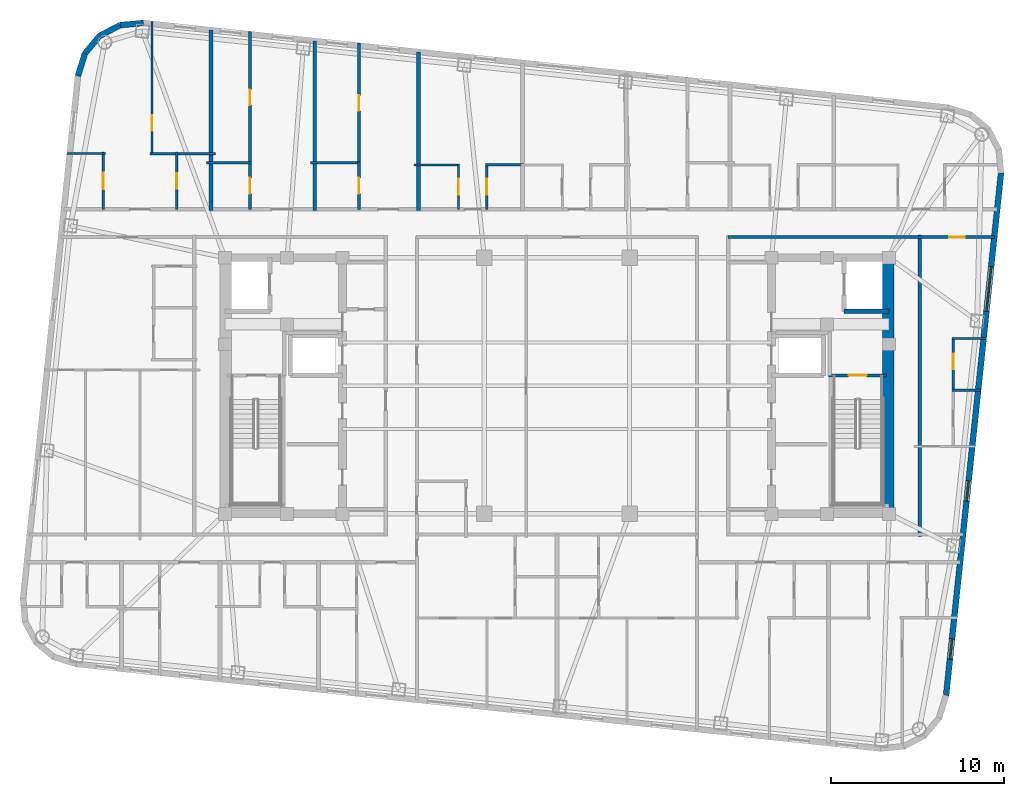
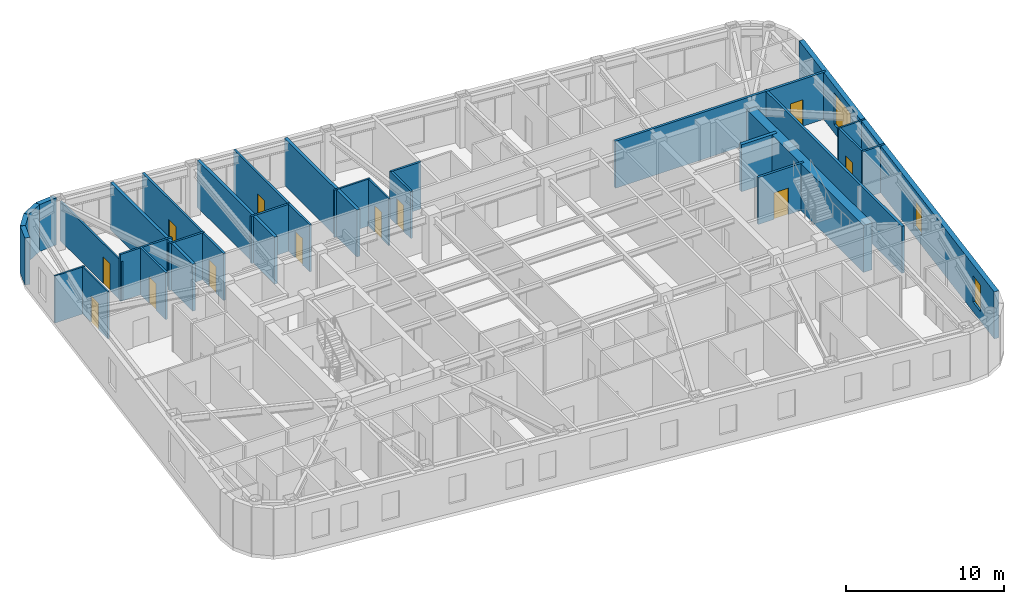
# One storey, part 7 of 11: 31 walls, 12 doors, 3 windows, 15 openings.
"""IFC4 building model written with IfcOpenShell, lengths in metres."""

from ifc_helpers import new_model, si_unit, direction, frame, frame_2d, origin, place, context, subcontext, project, spatial, rectangle, extrude, material, layer, layer_set, type_object, element, fill, save


model = new_model("IFC4")

# Units and contexts
model_context = context("Model", 3, precision=1e-05, world=origin(), true_north=direction((0.0, 1.0)))
body_context = subcontext(model_context, "Body", "Model", "MODEL_VIEW")
ifc_project = project(units=[si_unit("LENGTHUNIT", "METRE"), si_unit("AREAUNIT", "SQUARE_METRE"), si_unit("VOLUMEUNIT", "CUBIC_METRE"), si_unit("PLANEANGLEUNIT", "RADIAN"), si_unit("MASSUNIT", "GRAM", prefix="KILO")], contexts=[model_context])

# Site, building, storey
site_placement = place(None, origin())
site = spatial("IfcSite", under=ifc_project, at=site_placement, CompositionType="ELEMENT")
building_placement = place(site_placement, origin())
building = spatial("IfcBuilding", under=site, at=building_placement, Name="Voryun Gate Residences", CompositionType="ELEMENT")
storey_placement = place(building_placement, frame((0.0, 0.0, 295.10009765625)))
storey = spatial("IfcBuildingStorey", under=building, at=storey_placement, Name="L73", CompositionType="ELEMENT", Elevation=295.10009765625)

# Wall
ifc_material_1 = material(Name="Concrete C60/75", Category="concrete")
ifc_layer_1 = layer(ifc_material_1, 0.64990234375, Name="CW_CORE_650")
ifc_layer_set_1 = layer_set([ifc_layer_1], Name="Concrete C60/75")
wall_type_1 = type_object("IfcWallType", Name="CW_CORE_650", PredefinedType="SHEAR", material=ifc_layer_set_1)
wall_1_placement = place(storey_placement, frame((19.14501953125, -7.39990234375, 0.0), z_axis=(0.0, 0.0, 1.0), x_axis=(0.0, 1.0, 0.0)))
element("IfcWall", 1, at=wall_1_placement, inside=storey, type_object=wall_type_1, Name="L73 Core shear wall CW-L73-EE", PredefinedType="SHEAR", context=body_context, shape_type="SweptSolid", body=[
    extrude(rectangle(XDim=14.7998046875, YDim=0.64990234375, at=frame_2d((7.39990234375, 0.0))), origin(), (0.0, 0.0, 1.0), 3.635009765625),
])

# Wall, opening, door
ifc_material_2 = material(Name="Gypsum acoustic fireboard")
ifc_layer_2 = layer(ifc_material_2, 0.179931640625, Name="W_CORR_RATED_180")
ifc_layer_set_2 = layer_set([ifc_layer_2], Name="Gypsum acoustic fireboard")
wall_type_2 = type_object("IfcWallType", Name="W_CORR_RATED_180", PredefinedType="PARTITIONING", material=ifc_layer_set_2)
wall_2_placement = place(storey_placement, frame((15.699951171875, 0.60009765625, 0.0), z_axis=(0.0, 0.0, 1.0), x_axis=(1.0, 0.0, 0.0)))
wall_2 = element("IfcWall", 2, at=wall_2_placement, inside=storey, type_object=wall_type_2, Name="Partition wall WP-L73-STV-E", PredefinedType="PARTITIONING", context=body_context, shape_type="SweptSolid", body=[
    extrude(rectangle(XDim=3.360107421875, YDim=0.179931640625, at=frame_2d((1.68017578125, 0.0))), origin(), (0.0, 0.0, 1.0), 3.635009765625),
])
opening_1_placement = place(wall_2_placement, frame((1.155029296875, 0.0, 0.0)))
opening_1 = element("IfcOpeningElement", 3, at=opening_1_placement, cuts=wall_2, Name="Opening D-FD60-1", PredefinedType="OPENING", context=body_context, shape_type="SweptSolid", body=[
    extrude(rectangle(XDim=1.050048828125, YDim=2.050048828125, at=frame_2d((0.52490234375, 1.02490234375))), frame((0.0, 0.099853515625, 0.0), z_axis=(0.0, -1.0, 0.0), x_axis=(1.0, 0.0, 0.0)), (0.0, 0.0, 1.0), 0.199951171875),
])
ifc_material_3 = material(Name="Painted steel fire door", Category="steel")
door_type_1 = type_object("IfcDoorType", Name="DR_FD60_STAIR_1050", OperationType="NOTDEFINED", PredefinedType="DOOR", material=ifc_material_3)
door_1_placement = place(opening_1_placement, origin())
door_1 = element("IfcDoor", 4, at=door_1_placement, inside=storey, type_object=door_type_1, Name="Door DR-L73-ST-E", OperationType="SINGLE_SWING_RIGHT", OverallHeight=2.050048828125, OverallWidth=1.050048828125, PredefinedType="DOOR", context=body_context, shape_type="SweptSolid", body=[
    extrude(rectangle(XDim=1.050048828125, YDim=2.050048828125, at=frame_2d((0.52490234375, 1.02490234375))), frame((0.0, 0.02490234375, 0.0), z_axis=(0.0, -1.0, 0.0), x_axis=(1.0, 0.0, 0.0)), (0.0, 0.0, 1.0), 0.050048828125),
])
fill(opening_1, door_1)

wall_3_placement = place(storey_placement, frame((9.8798828125, 8.590087890625, 0.0), z_axis=(0.0, 0.0, 1.0), x_axis=(1.0, 0.0, 0.0)))
wall_3 = element("IfcWall", 5, at=wall_3_placement, inside=storey, type_object=wall_type_2, Name="Partition wall WP-L73-CWING-EN", PredefinedType="PARTITIONING", context=body_context, shape_type="SweptSolid", body=[
    extrude(rectangle(XDim=15.400634765625, YDim=0.179931640625, at=frame_2d((7.7001953125, 0.0))), origin(), (0.0, 0.0, 1.0), 3.635009765625),
])
opening_2_placement = place(wall_3_placement, frame((12.80078125, 0.0, 0.0)))
opening_2 = element("IfcOpeningElement", 6, at=opening_2_placement, cuts=wall_3, Name="Opening D-INT-2", PredefinedType="OPENING", context=body_context, shape_type="SweptSolid", body=[
    extrude(rectangle(XDim=0.89990234375, YDim=2.050048828125, at=frame_2d((0.449951171875, 1.02490234375))), frame((0.0, 0.099853515625, 0.0), z_axis=(0.0, -1.0, 0.0), x_axis=(1.0, 0.0, 0.0)), (0.0, 0.0, 1.0), 0.199951171875),
])
ifc_material_4 = material(Name="Architectural oak veneer")
door_type_2 = type_object("IfcDoorType", Name="DR_INT_BATH_900", OperationType="NOTDEFINED", PredefinedType="DOOR", material=ifc_material_4)
door_2_placement = place(opening_2_placement, origin())
door_2 = element("IfcDoor", 7, at=door_2_placement, inside=storey, type_object=door_type_2, Name="Door DR-L73-EE1N", OperationType="SINGLE_SWING_LEFT", OverallHeight=2.050048828125, OverallWidth=0.89990234375, PredefinedType="DOOR", context=body_context, shape_type="SweptSolid", body=[
    extrude(rectangle(XDim=0.89990234375, YDim=2.050048828125, at=frame_2d((0.449951171875, 1.02490234375))), frame((0.0, 0.02490234375, 0.0), z_axis=(0.0, -1.0, 0.0), x_axis=(1.0, 0.0, 0.0)), (0.0, 0.0, 1.0), 0.050048828125),
])
fill(opening_2, door_2)

# Walls
wall_4_placement = place(storey_placement, frame((20.969970703125, -8.7099609375, 0.0), z_axis=(0.0, 0.0, 1.0), x_axis=(0.0, 1.0, 0.0)))
element("IfcWall", 8, at=wall_4_placement, inside=storey, type_object=wall_type_2, Name="Partition wall WP-L73-ECOR", PredefinedType="PARTITIONING", context=body_context, shape_type="SweptSolid", body=[
    extrude(rectangle(XDim=17.419921875, YDim=0.179931640625, at=frame_2d((8.7099609375, 0.0))), origin(), (0.0, 0.0, 1.0), 3.635009765625),
])
ifc_material_5 = material(Name="Charcoal terracotta masonry", Category="masonry")
ifc_layer_3 = layer(ifc_material_5, 0.340087890625, Name="W_EXT_TERRACOTTA_340")
ifc_layer_set_3 = layer_set([ifc_layer_3], Name="Charcoal terracotta masonry")
wall_type_3 = type_object("IfcWallType", Name="W_EXT_TERRACOTTA_340", PredefinedType="ELEMENTEDWALL", material=ifc_layer_set_3)
wall_5_placement = place(storey_placement, frame((-27.69580078125, 17.904541015625, 0.0), z_axis=(0.0, 0.0, 1.0), x_axis=(0.296416228123, 0.955058856671, 0.0)))
element("IfcWall", 9, at=wall_5_placement, inside=storey, type_object=wall_type_3, Name="Exterior wall WEXT-L73-07", PredefinedType="ELEMENTEDWALL", context=body_context, shape_type="SweptSolid", body=[
    extrude(rectangle(XDim=1.35400390625, YDim=0.340087890625, at=frame_2d((0.677001953125, 0.0))), origin(), (0.0, 0.0, 1.0), 3.635009765625),
])
wall_6_placement = place(storey_placement, frame((-27.29443359375, 19.19775390625, 0.0), z_axis=(0.0, 0.0, 1.0), x_axis=(0.639501603217, 0.768789762863, 0.0)))
element("IfcWall", 10, at=wall_6_placement, inside=storey, type_object=wall_type_3, Name="Exterior wall WEXT-L73-08", PredefinedType="ELEMENTEDWALL", context=body_context, shape_type="SweptSolid", body=[
    extrude(rectangle(XDim=1.3369140625, YDim=0.340087890625, at=frame_2d((0.66845703125, 0.0))), origin(), (0.0, 0.0, 1.0), 3.635009765625),
])
wall_7_placement = place(storey_placement, frame((-26.439453125, 20.2255859375, 0.0), z_axis=(0.0, 0.0, 1.0), x_axis=(0.884922182678, 0.465738908193, 0.0)))
element("IfcWall", 11, at=wall_7_placement, inside=storey, type_object=wall_type_3, Name="Exterior wall WEXT-L73-09", PredefinedType="ELEMENTEDWALL", context=body_context, shape_type="SweptSolid", body=[
    extrude(rectangle(XDim=1.337158203125, YDim=0.340087890625, at=frame_2d((0.66845703125, 0.0))), origin(), (0.0, 0.0, 1.0), 3.635009765625),
])
wall_8_placement = place(storey_placement, frame((-25.256103515625, 20.848388671875, 0.0), z_axis=(0.0, 0.0, 1.0), x_axis=(0.995813013343, 0.091413579172, 0.0)))
element("IfcWall", 12, at=wall_8_placement, inside=storey, type_object=wall_type_3, Name="Exterior wall WEXT-L73-10", PredefinedType="ELEMENTEDWALL", context=body_context, shape_type="SweptSolid", body=[
    extrude(rectangle(XDim=1.35400390625, YDim=0.340087890625, at=frame_2d((0.677001953125, 0.0))), origin(), (0.0, 0.0, 1.0), 3.635009765625),
])

# Wall, openings, windows
wall_9_placement = place(storey_placement, frame((25.670166015625, 12.295654296875, 0.0), z_axis=(0.0, 0.0, 1.0), x_axis=(-0.104533282919, -0.994521388791, 0.0)))
wall_9 = element("IfcWall", 13, at=wall_9_placement, inside=storey, type_object=wall_type_3, Name="Exterior wall WEXT-L73-16", PredefinedType="ELEMENTEDWALL", context=body_context, shape_type="SweptSolid", body=[
    extrude(rectangle(XDim=30.366455078125, YDim=0.340087890625, at=frame_2d((15.18310546875, 0.0))), origin(), (0.0, 0.0, 1.0), 3.635009765625),
])
opening_3_placement = place(wall_9_placement, frame((5.441650390625, 0.0, 0.64990234375)))
opening_3 = element("IfcOpeningElement", 14, at=opening_3_placement, cuts=wall_9, Name="Opening WN4", PredefinedType="OPENING", context=body_context, shape_type="SweptSolid", body=[
    extrude(rectangle(XDim=2.60009765625, YDim=2.449951171875, at=frame_2d((1.300048828125, 1.22509765625))), frame((0.0, 0.179931640625, 0.0), z_axis=(0.0, -1.0, 0.0), x_axis=(1.0, 0.0, 0.0)), (0.0, 0.0, 1.0), 0.360107421875),
])
opening_4_placement = place(wall_9_placement, frame((27.066650390625, 0.0, 0.75)))
opening_4 = element("IfcOpeningElement", 15, at=opening_4_placement, cuts=wall_9, Name="Opening WN6", PredefinedType="OPENING", context=body_context, shape_type="SweptSolid", body=[
    extrude(rectangle(XDim=1.199951171875, YDim=2.050048828125, at=frame_2d((0.60009765625, 1.02490234375))), frame((0.0, 0.179931640625, 0.0), z_axis=(0.0, -1.0, 0.0), x_axis=(1.0, 0.0, 0.0)), (0.0, 0.0, 1.0), 0.360107421875),
])
opening_5_placement = place(wall_9_placement, frame((17.879150390625, 0.0, 0.75)))
opening_5 = element("IfcOpeningElement", 16, at=opening_5_placement, cuts=wall_9, Name="Opening WN6", PredefinedType="OPENING", context=body_context, shape_type="SweptSolid", body=[
    extrude(rectangle(XDim=1.199951171875, YDim=2.050048828125, at=frame_2d((0.60009765625, 1.02490234375))), frame((0.0, 0.179931640625, 0.0), z_axis=(0.0, -1.0, 0.0), x_axis=(1.0, 0.0, 0.0)), (0.0, 0.0, 1.0), 0.360107421875),
])
ifc_material_6 = material(Name="Laminated low-E glass", Category="glass")
window_type_1 = type_object("IfcWindowType", Name="WN_PENT_TALL_2600", PartitioningType="SINGLE_PANEL", PredefinedType="WINDOW", material=ifc_material_6)
window_1_placement = place(opening_3_placement, origin())
window_1 = element("IfcWindow", 17, at=window_1_placement, inside=storey, type_object=window_type_1, Name="Window WN-WEXT-L73-16-01", OverallHeight=2.449951171875, OverallWidth=2.60009765625, PartitioningType="SINGLE_PANEL", PredefinedType="WINDOW", context=body_context, shape_type="SweptSolid", body=[
    extrude(rectangle(XDim=2.60009765625, YDim=2.449951171875, at=frame_2d((1.300048828125, 1.22509765625))), frame((0.0, 0.030029296875, 0.0), z_axis=(0.0, -1.0, 0.0), x_axis=(1.0, 0.0, 0.0)), (0.0, 0.0, 1.0), 0.06005859375),
])
fill(opening_3, window_1)
ifc_material_7 = material(Name="Laminated low-E glass", Category="glass")
window_type_2 = type_object("IfcWindowType", Name="WN_POD_SLOT_1200", PartitioningType="SINGLE_PANEL", PredefinedType="WINDOW", material=ifc_material_7)
window_2_placement = place(opening_4_placement, origin())
window_2 = element("IfcWindow", 18, at=window_2_placement, inside=storey, type_object=window_type_2, Name="Window WN-L73-DWFIX-21", OverallHeight=2.050048828125, OverallWidth=1.199951171875, PartitioningType="SINGLE_PANEL", PredefinedType="WINDOW", context=body_context, shape_type="SweptSolid", body=[
    extrude(rectangle(XDim=1.199951171875, YDim=2.050048828125, at=frame_2d((0.60009765625, 1.02490234375))), frame((0.0, 0.030029296875, 0.0), z_axis=(0.0, -1.0, 0.0), x_axis=(1.0, 0.0, 0.0)), (0.0, 0.0, 1.0), 0.06005859375),
])
fill(opening_4, window_2)
window_3_placement = place(opening_5_placement, origin())
window_3 = element("IfcWindow", 19, at=window_3_placement, inside=storey, type_object=window_type_2, Name="Window WN-L73-DWFIX-26", OverallHeight=2.050048828125, OverallWidth=1.199951171875, PartitioningType="SINGLE_PANEL", PredefinedType="WINDOW", context=body_context, shape_type="SweptSolid", body=[
    extrude(rectangle(XDim=1.199951171875, YDim=2.050048828125, at=frame_2d((0.60009765625, 1.02490234375))), frame((0.0, 0.030029296875, 0.0), z_axis=(0.0, -1.0, 0.0), x_axis=(1.0, 0.0, 0.0)), (0.0, 0.0, 1.0), 0.06005859375),
])
fill(opening_5, window_3)

# Walls
ifc_material_8 = material(Name="Concrete C40/50", Category="concrete")
ifc_layer_4 = layer(ifc_material_8, 0.219970703125, Name="W_PARTY_ACOUSTIC_220")
ifc_layer_set_4 = layer_set([ifc_layer_4], Name="Concrete C40/50")
wall_type_4 = type_object("IfcWallType", Name="W_PARTY_ACOUSTIC_220", PredefinedType="PARTITIONING", material=ifc_layer_set_4)
wall_10_placement = place(storey_placement, frame((-20.0, 10.1201171875, 0.0), z_axis=(0.0, 0.0, 1.0), x_axis=(0.0, 1.0, 0.0)))
element("IfcWall", 20, at=wall_10_placement, inside=storey, type_object=wall_type_4, Name="Partition wall WP-L73-NPTY-1", PredefinedType="PARTITIONING", context=body_context, shape_type="SweptSolid", body=[
    extrude(rectangle(XDim=10.441162109375, YDim=0.219970703125, at=frame_2d((5.220703125, 0.0))), origin(), (0.0, 0.0, 1.0), 3.635009765625),
])
wall_11_placement = place(storey_placement, frame((-14.0, 10.1201171875, 0.0), z_axis=(0.0, 0.0, 1.0), x_axis=(0.0, 1.0, 0.0)))
element("IfcWall", 21, at=wall_11_placement, inside=storey, type_object=wall_type_4, Name="Partition wall WP-L73-NPTY-2", PredefinedType="PARTITIONING", context=body_context, shape_type="SweptSolid", body=[
    extrude(rectangle(XDim=9.810791015625, YDim=0.219970703125, at=frame_2d((4.9052734375, 0.0))), origin(), (0.0, 0.0, 1.0), 3.635009765625),
])
wall_12_placement = place(storey_placement, frame((-8.0, 10.1201171875, 0.0), z_axis=(0.0, 0.0, 1.0), x_axis=(0.0, 1.0, 0.0)))
element("IfcWall", 22, at=wall_12_placement, inside=storey, type_object=wall_type_4, Name="Partition wall WP-L73-NPTY-3", PredefinedType="PARTITIONING", context=body_context, shape_type="SweptSolid", body=[
    extrude(rectangle(XDim=9.18017578125, YDim=0.219970703125, at=frame_2d((4.590087890625, 0.0))), origin(), (0.0, 0.0, 1.0), 3.635009765625),
])
ifc_material_9 = material(Name="Concrete C50/60", Category="concrete")
ifc_layer_5 = layer(ifc_material_9, 0.25, Name="W_SHAFT_RC250")
ifc_layer_set_5 = layer_set([ifc_layer_5], Name="Concrete C50/60")
wall_type_5 = type_object("IfcWallType", Name="W_SHAFT_RC250", PredefinedType="SOLIDWALL", material=ifc_layer_set_5)
wall_13_placement = place(storey_placement, frame((16.60009765625, 4.300048828125, 0.0), z_axis=(0.0, 0.0, 1.0), x_axis=(1.0, 0.0, 0.0)))
element("IfcWall", 23, at=wall_13_placement, inside=storey, type_object=wall_type_5, Name="Lift shaft wall WSH-L73-EL-FF-E1-S", PredefinedType="SOLIDWALL", context=body_context, shape_type="SweptSolid", body=[
    extrude(rectangle(XDim=2.599853515625, YDim=0.25, at=frame_2d((1.2998046875, 0.0))), origin(), (0.0, 0.0, 1.0), 3.635009765625),
])

# Wall, opening, door
ifc_material_10 = material(Name="Gypsum acoustic partition")
ifc_layer_6 = layer(ifc_material_10, 0.125, Name="W_UNIT_PART_125")
ifc_layer_set_6 = layer_set([ifc_layer_6], Name="Gypsum acoustic partition")
wall_type_6 = type_object("IfcWallType", Name="W_UNIT_PART_125", PredefinedType="PARTITIONING", material=ifc_layer_set_6)
wall_14_placement = place(storey_placement, frame((-23.409912109375, 13.340087890625, 0.0), z_axis=(0.0, 0.0, 1.0), x_axis=(0.0, 1.0, 0.0)))
wall_14 = element("IfcWall", 24, at=wall_14_placement, inside=storey, type_object=wall_type_6, Name="Partition wall WP-L73-N1-OVR", PredefinedType="PARTITIONING", context=body_context, shape_type="SweptSolid", body=[
    extrude(rectangle(XDim=7.730712890625, YDim=0.125, at=frame_2d((3.865234375, 0.0))), origin(), (0.0, 0.0, 1.0), 3.074951171875),
])
opening_6_placement = place(wall_14_placement, frame((1.405517578125, 0.0, 0.0)))
opening_6 = element("IfcOpeningElement", 25, at=opening_6_placement, cuts=wall_14, Name="Opening D-INT-2", PredefinedType="OPENING", context=body_context, shape_type="SweptSolid", body=[
    extrude(rectangle(XDim=0.89990234375, YDim=2.050048828125, at=frame_2d((0.449951171875, 1.02490234375))), frame((0.0, 0.072509765625, 0.0), z_axis=(0.0, -1.0, 0.0), x_axis=(1.0, 0.0, 0.0)), (0.0, 0.0, 1.0), 0.14501953125),
])
door_3_placement = place(opening_6_placement, origin())
door_3 = element("IfcDoor", 26, at=door_3_placement, inside=storey, type_object=door_type_2, Name="Door DR-L73-N1-DMB", OperationType="SINGLE_SWING_RIGHT", OverallHeight=2.050048828125, OverallWidth=0.89990234375, PredefinedType="DOOR", context=body_context, shape_type="SweptSolid", body=[
    extrude(rectangle(XDim=0.89990234375, YDim=2.050048828125, at=frame_2d((0.449951171875, 1.02490234375))), frame((0.0, 0.02490234375, 0.0), z_axis=(0.0, -1.0, 0.0), x_axis=(1.0, 0.0, 0.0)), (0.0, 0.0, 1.0), 0.050048828125),
])
fill(opening_6, door_3)

wall_15_placement = place(storey_placement, frame((-26.22802734375, 10.179931640625, 0.0), z_axis=(0.0, 0.0, 1.0), x_axis=(0.0, 1.0, 0.0)))
wall_15 = element("IfcWall", 27, at=wall_15_placement, inside=storey, type_object=wall_type_6, Name="Partition wall WP-L73-N1-IVK", PredefinedType="PARTITIONING", context=body_context, shape_type="SweptSolid", body=[
    extrude(rectangle(XDim=3.320068359375, YDim=0.125, at=frame_2d((1.66015625, 0.0))), origin(), (0.0, 0.0, 1.0), 3.635009765625),
])
opening_7_placement = place(wall_15_placement, frame((1.18505859375, 0.0, 0.0)))
opening_7 = element("IfcOpeningElement", 28, at=opening_7_placement, cuts=wall_15, Name="Opening D-INT-1", PredefinedType="OPENING", context=body_context, shape_type="SweptSolid", body=[
    extrude(rectangle(XDim=0.949951171875, YDim=2.050048828125, at=frame_2d((0.47509765625, 1.02490234375))), frame((0.0, 0.072509765625, 0.0), z_axis=(0.0, -1.0, 0.0), x_axis=(1.0, 0.0, 0.0)), (0.0, 0.0, 1.0), 0.14501953125),
])
ifc_material_11 = material(Name="Architectural oak veneer")
door_type_3 = type_object("IfcDoorType", Name="DR_INT_ROOM_950", OperationType="NOTDEFINED", PredefinedType="DOOR", material=ifc_material_11)
door_4_placement = place(opening_7_placement, origin())
door_4 = element("IfcDoor", 29, at=door_4_placement, inside=storey, type_object=door_type_3, Name="Door DR-L73-N1-DK", OperationType="SINGLE_SWING_LEFT", OverallHeight=2.050048828125, OverallWidth=0.949951171875, PredefinedType="DOOR", context=body_context, shape_type="SweptSolid", body=[
    extrude(rectangle(XDim=0.949951171875, YDim=2.050048828125, at=frame_2d((0.47509765625, 1.02490234375))), frame((0.0, 0.02490234375, 0.0), z_axis=(0.0, -1.0, 0.0), x_axis=(1.0, 0.0, 0.0)), (0.0, 0.0, 1.0), 0.050048828125),
])
fill(opening_7, door_4)

# Wall
wall_16_placement = place(storey_placement, frame((-28.318115234375, 13.419921875, 0.0), z_axis=(0.0, 0.0, 1.0), x_axis=(1.0, 0.0, 0.0)))
element("IfcWall", 30, at=wall_16_placement, inside=storey, type_object=wall_type_6, Name="Partition wall WP-L73-N1-HZK", PredefinedType="PARTITIONING", context=body_context, shape_type="SweptSolid", body=[
    extrude(rectangle(XDim=2.210205078125, YDim=0.125, at=frame_2d((1.10498046875, 0.0))), origin(), (0.0, 0.0, 1.0), 3.635009765625),
])

# Wall, opening, door
wall_17_placement = place(storey_placement, frame((-5.68994140625, 10.179931640625, 0.0), z_axis=(0.0, 0.0, 1.0), x_axis=(0.0, 1.0, 0.0)))
wall_17 = element("IfcWall", 31, at=wall_17_placement, inside=storey, type_object=wall_type_6, Name="Partition wall WP-L73-N4-CVK", PredefinedType="PARTITIONING", context=body_context, shape_type="SweptSolid", body=[
    extrude(rectangle(XDim=2.650146484375, YDim=0.125, at=frame_2d((1.3251953125, 0.0))), origin(), (0.0, 0.0, 1.0), 3.635009765625),
])
opening_8_placement = place(wall_17_placement, frame((0.875, 0.0, 0.0)))
opening_8 = element("IfcOpeningElement", 32, at=opening_8_placement, cuts=wall_17, Name="Opening D-INT-2", PredefinedType="OPENING", context=body_context, shape_type="SweptSolid", body=[
    extrude(rectangle(XDim=0.89990234375, YDim=2.050048828125, at=frame_2d((0.449951171875, 1.02490234375))), frame((0.0, 0.072509765625, 0.0), z_axis=(0.0, -1.0, 0.0), x_axis=(1.0, 0.0, 0.0)), (0.0, 0.0, 1.0), 0.14501953125),
])
door_5_placement = place(opening_8_placement, origin())
door_5 = element("IfcDoor", 33, at=door_5_placement, inside=storey, type_object=door_type_2, Name="Door DR-L73-N4-DK", OperationType="SINGLE_SWING_LEFT", OverallHeight=2.050048828125, OverallWidth=0.89990234375, PredefinedType="DOOR", context=body_context, shape_type="SweptSolid", body=[
    extrude(rectangle(XDim=0.89990234375, YDim=2.050048828125, at=frame_2d((0.449951171875, 1.02490234375))), frame((0.0, 0.02490234375, 0.0), z_axis=(0.0, -1.0, 0.0), x_axis=(1.0, 0.0, 0.0)), (0.0, 0.0, 1.0), 0.050048828125),
])
fill(opening_8, door_5)

# Walls
wall_18_placement = place(storey_placement, frame((-8.260009765625, 12.77001953125, 0.0), z_axis=(0.0, 0.0, 1.0), x_axis=(1.0, 0.0, 0.0)))
element("IfcWall", 34, at=wall_18_placement, inside=storey, type_object=wall_type_6, Name="Partition wall WP-L73-N4-CHK", PredefinedType="PARTITIONING", context=body_context, shape_type="SweptSolid", body=[
    extrude(rectangle(XDim=2.630126953125, YDim=0.125, at=frame_2d((1.31494140625, 0.0))), origin(), (0.0, 0.0, 1.0), 3.635009765625),
])
wall_19_placement = place(storey_placement, frame((22.8330078125, 2.739990234375, 0.0), z_axis=(0.0, 0.0, 1.0), x_axis=(1.0, 0.0, 0.0)))
element("IfcWall", 35, at=wall_19_placement, inside=storey, type_object=wall_type_6, Name="Partition wall WP-L73-E1-HZ1", PredefinedType="PARTITIONING", context=body_context, shape_type="SweptSolid", body=[
    extrude(rectangle(XDim=1.983642578125, YDim=0.125, at=frame_2d((0.99169921875, 0.0))), origin(), (0.0, 0.0, 1.0), 3.635009765625),
])
ifc_material_12 = material(Name="Gypsum moisture-resistant partition")
ifc_layer_7 = layer(ifc_material_12, 0.14990234375, Name="W_WET_PLUMB_150")
ifc_layer_set_7 = layer_set([ifc_layer_7], Name="Gypsum moisture-resistant partition")
wall_type_7 = type_object("IfcWallType", Name="W_WET_PLUMB_150", PredefinedType="PLUMBINGWALL", material=ifc_layer_set_7)
wall_20_placement = place(storey_placement, frame((-23.530029296875, 13.419921875, 0.0), z_axis=(0.0, 0.0, 1.0), x_axis=(1.0, 0.0, 0.0)))
element("IfcWall", 36, at=wall_20_placement, inside=storey, type_object=wall_type_7, Name="Partition wall WP-L73-N1-HZB", PredefinedType="PLUMBINGWALL", context=body_context, shape_type="SweptSolid", body=[
    extrude(rectangle(XDim=3.7900390625, YDim=0.14990234375, at=frame_2d((1.89501953125, 0.0))), origin(), (0.0, 0.0, 1.0), 3.635009765625),
])

# Wall, opening, door
wall_21_placement = place(storey_placement, frame((-21.97998046875, 10.179931640625, 0.0), z_axis=(0.0, 0.0, 1.0), x_axis=(0.0, 1.0, 0.0)))
wall_21 = element("IfcWall", 37, at=wall_21_placement, inside=storey, type_object=wall_type_7, Name="Partition wall WP-L73-N1-IVB", PredefinedType="PLUMBINGWALL", context=body_context, shape_type="SweptSolid", body=[
    extrude(rectangle(XDim=3.320068359375, YDim=0.14990234375, at=frame_2d((1.66015625, 0.0))), origin(), (0.0, 0.0, 1.0), 3.635009765625),
])
opening_9_placement = place(wall_21_placement, frame((1.2099609375, 0.0, 0.0)))
opening_9 = element("IfcOpeningElement", 38, at=opening_9_placement, cuts=wall_21, Name="Opening D-INT-2", PredefinedType="OPENING", context=body_context, shape_type="SweptSolid", body=[
    extrude(rectangle(XDim=0.89990234375, YDim=2.050048828125, at=frame_2d((0.449951171875, 1.02490234375))), frame((0.0, 0.0849609375, 0.0), z_axis=(0.0, -1.0, 0.0), x_axis=(1.0, 0.0, 0.0)), (0.0, 0.0, 1.0), 0.169921875),
])
door_6_placement = place(opening_9_placement, origin())
door_6 = element("IfcDoor", 39, at=door_6_placement, inside=storey, type_object=door_type_2, Name="Door DR-L73-N1-DB", OperationType="SINGLE_SWING_RIGHT", OverallHeight=2.050048828125, OverallWidth=0.89990234375, PredefinedType="DOOR", context=body_context, shape_type="SweptSolid", body=[
    extrude(rectangle(XDim=0.89990234375, YDim=2.050048828125, at=frame_2d((0.449951171875, 1.02490234375))), frame((0.0, 0.02490234375, 0.0), z_axis=(0.0, -1.0, 0.0), x_axis=(1.0, 0.0, 0.0)), (0.0, 0.0, 1.0), 0.050048828125),
])
fill(opening_9, door_6)

# Wall
wall_22_placement = place(storey_placement, frame((-20.260009765625, 12.89990234375, 0.0), z_axis=(0.0, 0.0, 1.0), x_axis=(1.0, 0.0, 0.0)))
element("IfcWall", 40, at=wall_22_placement, inside=storey, type_object=wall_type_7, Name="Partition wall WP-L73-N2-SKB", PredefinedType="PLUMBINGWALL", context=body_context, shape_type="SweptSolid", body=[
    extrude(rectangle(XDim=2.593017578125, YDim=0.14990234375, at=frame_2d((1.29638671875, 0.0))), origin(), (0.0, 0.0, 1.0), 3.635009765625),
])

# Wall, opening, door
wall_23_placement = place(storey_placement, frame((-17.7470703125, 10.179931640625, 0.0), z_axis=(0.0, 0.0, 1.0), x_axis=(0.0, 1.0, 0.0)))
wall_23 = element("IfcWall", 41, at=wall_23_placement, inside=storey, type_object=wall_type_7, Name="Partition wall WP-L73-N2-SVT1", PredefinedType="PLUMBINGWALL", context=body_context, shape_type="SweptSolid", body=[
    extrude(rectangle(XDim=2.760009765625, YDim=0.14990234375, at=frame_2d((1.3798828125, 0.0))), origin(), (0.0, 0.0, 1.0), 3.635009765625),
])
opening_10_placement = place(wall_23_placement, frame((0.929931640625, 0.0, 0.0)))
opening_10 = element("IfcOpeningElement", 42, at=opening_10_placement, cuts=wall_23, Name="Opening D-INT-2", PredefinedType="OPENING", context=body_context, shape_type="SweptSolid", body=[
    extrude(rectangle(XDim=0.89990234375, YDim=2.050048828125, at=frame_2d((0.449951171875, 1.02490234375))), frame((0.0, 0.0849609375, 0.0), z_axis=(0.0, -1.0, 0.0), x_axis=(1.0, 0.0, 0.0)), (0.0, 0.0, 1.0), 0.169921875),
])
door_7_placement = place(opening_10_placement, origin())
door_7 = element("IfcDoor", 43, at=door_7_placement, inside=storey, type_object=door_type_2, Name="Door DR-L73-N2-DB", OperationType="SINGLE_SWING_LEFT", OverallHeight=2.050048828125, OverallWidth=0.89990234375, PredefinedType="DOOR", context=body_context, shape_type="SweptSolid", body=[
    extrude(rectangle(XDim=0.89990234375, YDim=2.050048828125, at=frame_2d((0.449951171875, 1.02490234375))), frame((0.0, 0.02490234375, 0.0), z_axis=(0.0, -1.0, 0.0), x_axis=(1.0, 0.0, 0.0)), (0.0, 0.0, 1.0), 0.050048828125),
])
fill(opening_10, door_7)

wall_24_placement = place(storey_placement, frame((-17.7470703125, 12.860107421875, 0.0), z_axis=(0.0, 0.0, 1.0), x_axis=(0.0, 1.0, 0.0)))
wall_24 = element("IfcWall", 44, at=wall_24_placement, inside=storey, type_object=wall_type_7, Name="Partition wall WP-L73-N2-SVT2", PredefinedType="PLUMBINGWALL", context=body_context, shape_type="SweptSolid", body=[
    extrude(rectangle(XDim=7.615478515625, YDim=0.14990234375, at=frame_2d((3.8076171875, 0.0))), origin(), (0.0, 0.0, 1.0), 3.635009765625),
])
opening_11_placement = place(wall_24_placement, frame((3.35791015625, 0.0, 0.0)))
opening_11 = element("IfcOpeningElement", 45, at=opening_11_placement, cuts=wall_24, Name="Opening D-INT-2", PredefinedType="OPENING", context=body_context, shape_type="SweptSolid", body=[
    extrude(rectangle(XDim=0.89990234375, YDim=2.050048828125, at=frame_2d((0.449951171875, 1.02490234375))), frame((0.0, 0.0849609375, 0.0), z_axis=(0.0, -1.0, 0.0), x_axis=(1.0, 0.0, 0.0)), (0.0, 0.0, 1.0), 0.169921875),
])
door_8_placement = place(opening_11_placement, origin())
door_8 = element("IfcDoor", 46, at=door_8_placement, inside=storey, type_object=door_type_2, Name="Door DR-L73-N2-DK", OperationType="SINGLE_SWING_RIGHT", OverallHeight=2.050048828125, OverallWidth=0.89990234375, PredefinedType="DOOR", context=body_context, shape_type="SweptSolid", body=[
    extrude(rectangle(XDim=0.89990234375, YDim=2.050048828125, at=frame_2d((0.449951171875, 1.02490234375))), frame((0.0, 0.02490234375, 0.0), z_axis=(0.0, -1.0, 0.0), x_axis=(1.0, 0.0, 0.0)), (0.0, 0.0, 1.0), 0.050048828125),
])
fill(opening_11, door_8)

# Wall
wall_25_placement = place(storey_placement, frame((-14.260009765625, 12.89990234375, 0.0), z_axis=(0.0, 0.0, 1.0), x_axis=(1.0, 0.0, 0.0)))
element("IfcWall", 47, at=wall_25_placement, inside=storey, type_object=wall_type_7, Name="Partition wall WP-L73-N3-SKB", PredefinedType="PLUMBINGWALL", context=body_context, shape_type="SweptSolid", body=[
    extrude(rectangle(XDim=2.89306640625, YDim=0.14990234375, at=frame_2d((1.446533203125, 0.0))), origin(), (0.0, 0.0, 1.0), 3.635009765625),
])

# Wall, opening, door
wall_26_placement = place(storey_placement, frame((-11.447021484375, 10.179931640625, 0.0), z_axis=(0.0, 0.0, 1.0), x_axis=(0.0, 1.0, 0.0)))
wall_26 = element("IfcWall", 48, at=wall_26_placement, inside=storey, type_object=wall_type_7, Name="Partition wall WP-L73-N3-SVT1", PredefinedType="PLUMBINGWALL", context=body_context, shape_type="SweptSolid", body=[
    extrude(rectangle(XDim=2.760009765625, YDim=0.14990234375, at=frame_2d((1.3798828125, 0.0))), origin(), (0.0, 0.0, 1.0), 3.635009765625),
])
opening_12_placement = place(wall_26_placement, frame((0.929931640625, 0.0, 0.0)))
opening_12 = element("IfcOpeningElement", 49, at=opening_12_placement, cuts=wall_26, Name="Opening D-INT-2", PredefinedType="OPENING", context=body_context, shape_type="SweptSolid", body=[
    extrude(rectangle(XDim=0.89990234375, YDim=2.050048828125, at=frame_2d((0.449951171875, 1.02490234375))), frame((0.0, 0.0849609375, 0.0), z_axis=(0.0, -1.0, 0.0), x_axis=(1.0, 0.0, 0.0)), (0.0, 0.0, 1.0), 0.169921875),
])
door_9_placement = place(opening_12_placement, origin())
door_9 = element("IfcDoor", 50, at=door_9_placement, inside=storey, type_object=door_type_2, Name="Door DR-L73-N3-DB", OperationType="SINGLE_SWING_LEFT", OverallHeight=2.050048828125, OverallWidth=0.89990234375, PredefinedType="DOOR", context=body_context, shape_type="SweptSolid", body=[
    extrude(rectangle(XDim=0.89990234375, YDim=2.050048828125, at=frame_2d((0.449951171875, 1.02490234375))), frame((0.0, 0.02490234375, 0.0), z_axis=(0.0, -1.0, 0.0), x_axis=(1.0, 0.0, 0.0)), (0.0, 0.0, 1.0), 0.050048828125),
])
fill(opening_12, door_9)

wall_27_placement = place(storey_placement, frame((-11.447021484375, 12.860107421875, 0.0), z_axis=(0.0, 0.0, 1.0), x_axis=(0.0, 1.0, 0.0)))
wall_27 = element("IfcWall", 51, at=wall_27_placement, inside=storey, type_object=wall_type_7, Name="Partition wall WP-L73-N3-SVT2", PredefinedType="PLUMBINGWALL", context=body_context, shape_type="SweptSolid", body=[
    extrude(rectangle(XDim=6.953125, YDim=0.14990234375, at=frame_2d((3.4765625, 0.0))), origin(), (0.0, 0.0, 1.0), 3.635009765625),
])
opening_13_placement = place(wall_27_placement, frame((3.026611328125, 0.0, 0.0)))
opening_13 = element("IfcOpeningElement", 52, at=opening_13_placement, cuts=wall_27, Name="Opening D-INT-2", PredefinedType="OPENING", context=body_context, shape_type="SweptSolid", body=[
    extrude(rectangle(XDim=0.89990234375, YDim=2.050048828125, at=frame_2d((0.449951171875, 1.02490234375))), frame((0.0, 0.0849609375, 0.0), z_axis=(0.0, -1.0, 0.0), x_axis=(1.0, 0.0, 0.0)), (0.0, 0.0, 1.0), 0.169921875),
])
door_10_placement = place(opening_13_placement, origin())
door_10 = element("IfcDoor", 53, at=door_10_placement, inside=storey, type_object=door_type_2, Name="Door DR-L73-N3-DK", OperationType="SINGLE_SWING_RIGHT", OverallHeight=2.050048828125, OverallWidth=0.89990234375, PredefinedType="DOOR", context=body_context, shape_type="SweptSolid", body=[
    extrude(rectangle(XDim=0.89990234375, YDim=2.050048828125, at=frame_2d((0.449951171875, 1.02490234375))), frame((0.0, 0.02490234375, 0.0), z_axis=(0.0, -1.0, 0.0), x_axis=(1.0, 0.0, 0.0)), (0.0, 0.0, 1.0), 0.050048828125),
])
fill(opening_13, door_10)

wall_28_placement = place(storey_placement, frame((-4.05908203125, 10.179931640625, 0.0), z_axis=(0.0, 0.0, 1.0), x_axis=(0.0, 1.0, 0.0)))
wall_28 = element("IfcWall", 54, at=wall_28_placement, inside=storey, type_object=wall_type_7, Name="Partition wall WP-L73-N4-CVB", PredefinedType="PLUMBINGWALL", context=body_context, shape_type="SweptSolid", body=[
    extrude(rectangle(XDim=2.650146484375, YDim=0.14990234375, at=frame_2d((1.3251953125, 0.0))), origin(), (0.0, 0.0, 1.0), 3.635009765625),
])
opening_14_placement = place(wall_28_placement, frame((0.875, 0.0, 0.0)))
opening_14 = element("IfcOpeningElement", 55, at=opening_14_placement, cuts=wall_28, Name="Opening D-INT-2", PredefinedType="OPENING", context=body_context, shape_type="SweptSolid", body=[
    extrude(rectangle(XDim=0.89990234375, YDim=2.050048828125, at=frame_2d((0.449951171875, 1.02490234375))), frame((0.0, 0.0849609375, 0.0), z_axis=(0.0, -1.0, 0.0), x_axis=(1.0, 0.0, 0.0)), (0.0, 0.0, 1.0), 0.169921875),
])
door_11_placement = place(opening_14_placement, origin())
door_11 = element("IfcDoor", 56, at=door_11_placement, inside=storey, type_object=door_type_2, Name="Door DR-L73-N4-DB", OperationType="SINGLE_SWING_RIGHT", OverallHeight=2.050048828125, OverallWidth=0.89990234375, PredefinedType="DOOR", context=body_context, shape_type="SweptSolid", body=[
    extrude(rectangle(XDim=0.89990234375, YDim=2.050048828125, at=frame_2d((0.449951171875, 1.02490234375))), frame((0.0, 0.02490234375, 0.0), z_axis=(0.0, -1.0, 0.0), x_axis=(1.0, 0.0, 0.0)), (0.0, 0.0, 1.0), 0.050048828125),
])
fill(opening_14, door_11)

# Walls
wall_29_placement = place(storey_placement, frame((-4.118896484375, 12.77001953125, 0.0), z_axis=(0.0, 0.0, 1.0), x_axis=(1.0, 0.0, 0.0)))
element("IfcWall", 57, at=wall_29_placement, inside=storey, type_object=wall_type_7, Name="Partition wall WP-L73-N4-CHB", PredefinedType="PLUMBINGWALL", context=body_context, shape_type="SweptSolid", body=[
    extrude(rectangle(XDim=2.19384765625, YDim=0.14990234375, at=frame_2d((1.096923828125, 0.0))), origin(), (0.0, 0.0, 1.0), 3.635009765625),
])
wall_30_placement = place(storey_placement, frame((22.8330078125, -0.260009765625, 0.0), z_axis=(0.0, 0.0, 1.0), x_axis=(1.0, 0.0, 0.0)))
element("IfcWall", 58, at=wall_30_placement, inside=storey, type_object=wall_type_7, Name="Partition wall WP-L73-E1-HZ2", PredefinedType="PLUMBINGWALL", context=body_context, shape_type="SweptSolid", body=[
    extrude(rectangle(XDim=1.668212890625, YDim=0.14990234375, at=frame_2d((0.833984375, 0.0))), origin(), (0.0, 0.0, 1.0), 3.635009765625),
])

# Wall, opening, door
wall_31_placement = place(storey_placement, frame((22.9130859375, -0.300048828125, 0.0), z_axis=(0.0, 0.0, 1.0), x_axis=(0.0, 1.0, 0.0)))
wall_31 = element("IfcWall", 59, at=wall_31_placement, inside=storey, type_object=wall_type_7, Name="Partition wall WP-L73-E1-VKB2", PredefinedType="PLUMBINGWALL", context=body_context, shape_type="SweptSolid", body=[
    extrude(rectangle(XDim=3.080078125, YDim=0.14990234375, at=frame_2d((1.5400390625, 0.0))), origin(), (0.0, 0.0, 1.0), 3.635009765625),
])
opening_15_placement = place(wall_31_placement, frame((1.243896484375, 0.0, 0.0)))
opening_15 = element("IfcOpeningElement", 60, at=opening_15_placement, cuts=wall_31, Name="Opening D-INT-2", PredefinedType="OPENING", context=body_context, shape_type="SweptSolid", body=[
    extrude(rectangle(XDim=0.89990234375, YDim=2.050048828125, at=frame_2d((0.449951171875, 1.02490234375))), frame((0.0, 0.0849609375, 0.0), z_axis=(0.0, -1.0, 0.0), x_axis=(1.0, 0.0, 0.0)), (0.0, 0.0, 1.0), 0.169921875),
])
door_12_placement = place(opening_15_placement, origin())
door_12 = element("IfcDoor", 61, at=door_12_placement, inside=storey, type_object=door_type_2, Name="Door DR-L73-E1-DK", OperationType="SINGLE_SWING_RIGHT", OverallHeight=2.050048828125, OverallWidth=0.89990234375, PredefinedType="DOOR", context=body_context, shape_type="SweptSolid", body=[
    extrude(rectangle(XDim=0.89990234375, YDim=2.050048828125, at=frame_2d((0.449951171875, 1.02490234375))), frame((0.0, 0.02490234375, 0.0), z_axis=(0.0, -1.0, 0.0), x_axis=(1.0, 0.0, 0.0)), (0.0, 0.0, 1.0), 0.050048828125),
])
fill(opening_15, door_12)

save(model, "model.ifc")
